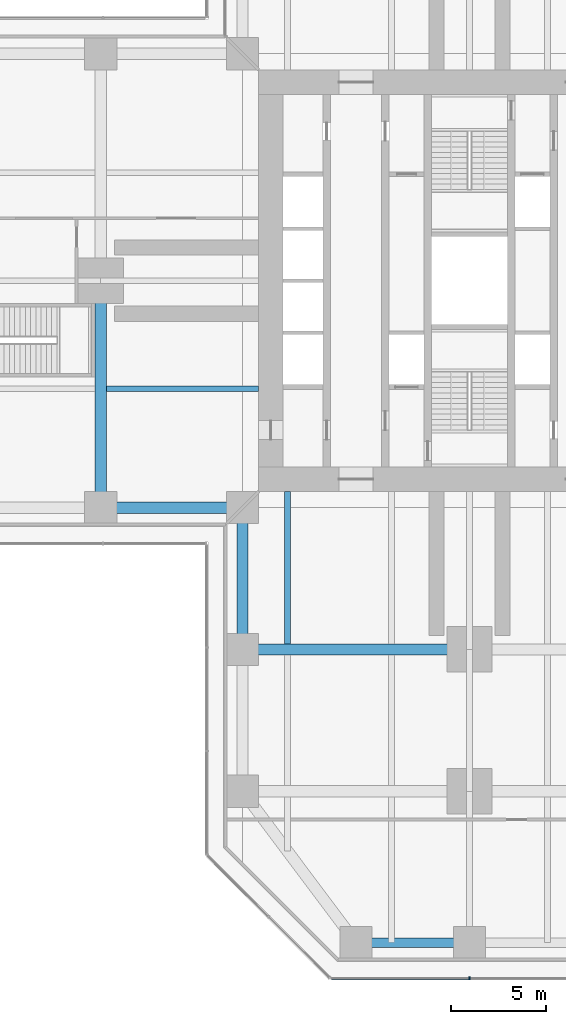
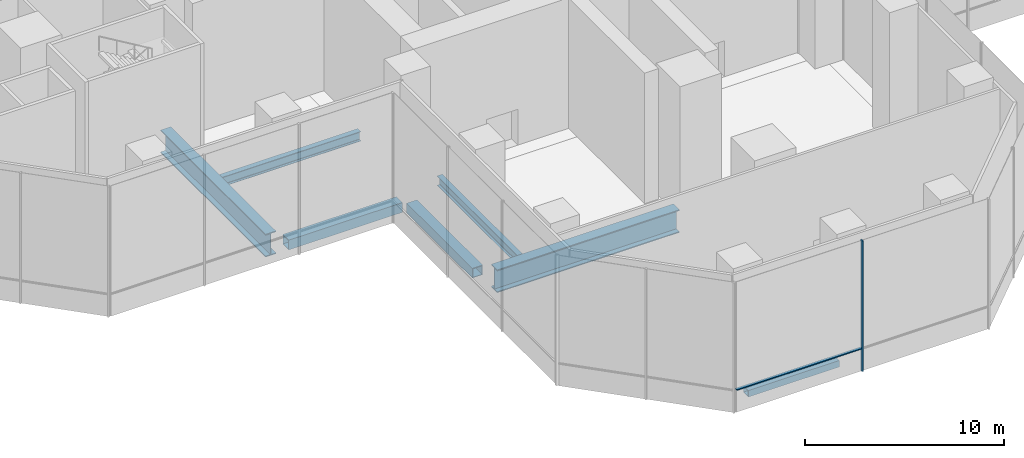
# One storey, part 4 of 25: 7 beams, 2 members, 1 element without a shape of its own.
"""IFC4 building model written with IfcOpenShell, lengths in metres."""

from ifc_helpers import new_model, si_unit, direction, frame, origin, origin_2d, place, context, subcontext, project, spatial, rectangle, hollow_rectangle, i_section, extrude, material, material_profile, profile_set, type_object, element, aggregate, save


model = new_model("IFC4")

# Units and contexts
model_context = context("Model", 3, precision=1e-05, world=origin(), true_north=direction((0.0, 1.0)))
body_context = subcontext(model_context, "Body", "Model", "MODEL_VIEW")
ifc_project = project(units=[si_unit("LENGTHUNIT", "METRE"), si_unit("AREAUNIT", "SQUARE_METRE"), si_unit("VOLUMEUNIT", "CUBIC_METRE"), si_unit("PLANEANGLEUNIT", "RADIAN"), si_unit("MASSUNIT", "GRAM", prefix="KILO")], contexts=[model_context])

# Site, building, storey
site_placement = place(None, origin())
site = spatial("IfcSite", under=ifc_project, at=site_placement, CompositionType="ELEMENT")
building_placement = place(site_placement, origin())
building = spatial("IfcBuilding", under=site, at=building_placement, Name="Mizan Broadcast Tower", CompositionType="ELEMENT")
storey_placement = place(building_placement, frame((0.0, 0.0, 15.0)))
storey = spatial("IfcBuildingStorey", under=building, at=storey_placement, Name="L02", CompositionType="ELEMENT", Elevation=15.0)

# Beams
ifc_material_1 = material(Name="Steel S355", Category="steel")
ifc_material_profile_1 = material_profile(ifc_material_1, hollow_rectangle(XDim=0.5, YDim=0.39990234375, WallThickness=0.02490234375, at=origin_2d()), Name="BOX 400x500x25")
ifc_profile_set_1 = profile_set([ifc_material_profile_1], Name="Steel S355")
beam_type_1 = type_object("IfcBeamType", Name="EDGE BEAM BOX 400x500x25", PredefinedType="SPANDREL", material=ifc_profile_set_1)
beam_placement = place(storey_placement, frame((-5.639892578125, -35.0, -0.449951171875), z_axis=(1.0, 0.0, 0.0), x_axis=(0.0, 1.0, 0.0)))
element("IfcBeam", 1, at=beam_placement, inside=storey, type_object=beam_type_1, Name="Edge beam BOX 400x500x25 L02 south arm", PredefinedType="SPANDREL", context=body_context, shape_type="SweptSolid", body=[
    extrude(hollow_rectangle(XDim=0.5, YDim=0.39990234375, WallThickness=0.02490234375, at=origin_2d()), origin(), (0.0, 0.0, 1.0), 5.27978515625),
])
ifc_material_2 = material(Name="Steel S355", Category="steel")
ifc_material_profile_2 = material_profile(ifc_material_2, hollow_rectangle(XDim=0.60009765625, YDim=0.60009765625, WallThickness=0.0400390625, at=origin_2d()), Name="BOX 600x600x40")
ifc_profile_set_2 = profile_set([ifc_material_profile_2], Name="Steel S355")
beam_type_2 = type_object("IfcBeamType", Name="EDGE BEAM BOX 600x600x40", PredefinedType="SPANDREL", material=ifc_profile_set_2)
for number, where, z_axis, x_axis, name in (
    (2, (-12.449951171875, -12.0, -0.550048828125), (-1.0, 0.0, 0.0), (0.0, -1.0, 0.0), "Edge beam BOX 600x600x40 L02 west arm"),
    (3, (-12.0, -12.449951171875, -0.550048828125), (0.0, -1.0, 0.0), (1.0, 0.0, 0.0), "Edge beam BOX 600x600x40 L02 south arm"),
):
    element("IfcBeam", number, at=place(storey_placement, frame(where, z_axis=z_axis, x_axis=x_axis)), inside=storey, type_object=beam_type_2, Name=name, PredefinedType="SPANDREL", context=body_context, shape_type="SweptSolid", body=[
        extrude(hollow_rectangle(XDim=0.60009765625, YDim=0.60009765625, WallThickness=0.0400390625, at=origin_2d()), origin(), (0.0, 0.0, 1.0), 6.60009765625),
    ])
ifc_material_3 = material(Name="Steel S460", Category="steel")
ifc_material_profile_3 = material_profile(ifc_material_3, i_section(OverallWidth=0.60009765625, OverallDepth=1.39990234375, WebThickness=0.02490234375, FlangeThickness=0.06005859375, at=origin_2d()), Name="WPG 1400x600")
ifc_profile_set_3 = profile_set([ifc_material_profile_3], Name="Steel S460")
beam_type_3 = type_object("IfcBeamType", Name="GIRDER WPG 1400x600", PredefinedType="BEAM", material=ifc_profile_set_3)
for number, where, z_axis, x_axis, name in (
    (4, (-19.5, -0.719970703125, -0.949951171875), (0.0, -1.0, 0.0), (1.0, 0.0, 0.0), "Girder WPG 1400x600 L02 west arm"),
    (5, (-11.280029296875, -19.5, -0.949951171875), (1.0, 0.0, 0.0), (0.0, 1.0, 0.0), "Girder WPG 1400x600 L02 south arm"),
):
    element("IfcBeam", number, at=place(storey_placement, frame(where, z_axis=z_axis, x_axis=x_axis)), inside=storey, type_object=beam_type_3, Name=name, PredefinedType="BEAM", context=body_context, shape_type="SweptSolid", body=[
        extrude(i_section(OverallWidth=0.60009765625, OverallDepth=1.39990234375, WebThickness=0.02490234375, FlangeThickness=0.06005859375, at=origin_2d()), origin(), (0.0, 0.0, 1.0), 10.56005859375),
    ])

# Curtain wall, members
ifc_material_4 = material(Name="Aluminium framed glazing", Category="aluminium")
curtain_wall_type = type_object("IfcCurtainWallType", Name="OUTER SKIN", PredefinedType="USERDEFINED", material=ifc_material_4)
curtain_wall_placement = place(storey_placement, origin())
curtain_wall = element("IfcCurtainWall", 6, at=curtain_wall_placement, inside=storey, type_object=curtain_wall_type, Name="Outer skin L02 S end", ObjectType="OUTER SKIN", PredefinedType="USERDEFINED")
ifc_material_5 = material(Name="Aluminium, pale anodised", Category="aluminium")
ifc_material_profile_4 = material_profile(ifc_material_5, rectangle(XDim=0.159912109375, YDim=0.080078125, at=origin_2d()), Name="MULLION 160x80")
ifc_profile_set_4 = profile_set([ifc_material_profile_4], Name="Aluminium, pale anodised")
member_type_1 = type_object("IfcMemberType", Name="OUTER SKIN MULLION 80x160", PredefinedType="MULLION", material=ifc_profile_set_4)
member_1_placement = place(storey_placement, frame((0.0, -36.89990234375, 0.0), z_axis=(0.0, 0.0, 1.0), x_axis=(0.0, 1.0, 0.0)))
member_1 = element("IfcMember", 7, at=member_1_placement, type_object=member_type_1, Name="Outer skin L02 S end mullion 2", PredefinedType="MULLION", context=body_context, shape_type="SweptSolid", body=[
    extrude(rectangle(XDim=0.159912109375, YDim=0.080078125, at=origin_2d()), origin(), (0.0, 0.0, 1.0), 8.0),
])
ifc_material_6 = material(Name="Aluminium, pale anodised", Category="aluminium")
ifc_material_profile_5 = material_profile(ifc_material_6, rectangle(XDim=0.159912109375, YDim=0.06005859375, at=origin_2d()), Name="TRANSOM 160x60")
ifc_profile_set_5 = profile_set([ifc_material_profile_5], Name="Aluminium, pale anodised")
member_type_2 = type_object("IfcMemberType", Name="OUTER SKIN TRANSOM 60x160", PredefinedType="USERDEFINED", material=ifc_profile_set_5)
member_2_placement = place(storey_placement, frame((-7.292724609375, -36.89990234375, 1.39990234375), z_axis=(1.0, 0.0, 0.0), x_axis=(0.0, 1.0, 0.0)))
member_2 = element("IfcMember", 8, at=member_2_placement, type_object=member_type_2, Name="Outer skin L02 S end transom 1.1", ObjectType="TRANSOM", PredefinedType="USERDEFINED", context=body_context, shape_type="SweptSolid", body=[
    extrude(rectangle(XDim=0.159912109375, YDim=0.06005859375, at=origin_2d()), origin(), (0.0, 0.0, 1.0), 7.252685546875),
])
aggregate(curtain_wall, [member_1, member_2])

# Beams
ifc_material_7 = material(Name="Steel S355", Category="steel")
ifc_material_profile_6 = material_profile(ifc_material_7, i_section(OverallWidth=0.300048828125, OverallDepth=0.590087890625, WebThickness=0.012939453125, FlangeThickness=0.02490234375, FilletRadius=0.027099609375, at=origin_2d()), Name="HEA 600")
ifc_profile_set_6 = profile_set([ifc_material_profile_6], Name="Steel S355")
beam_type_4 = type_object("IfcBeamType", Name="SECONDARY BEAM HEA 600", PredefinedType="JOIST", material=ifc_profile_set_6)
for number, where, z_axis, x_axis, name in (
    (9, (-11.14990234375, -5.71435546875, -0.544921875), (-1.0, 0.0, 0.0), (0.0, -1.0, 0.0), "Secondary beam HEA 600 L02 west arm"),
    (10, (-9.625, -11.14990234375, -0.544921875), (0.0, -1.0, 0.0), (1.0, 0.0, 0.0), "Secondary beam HEA 600 L02 south arm"),
):
    element("IfcBeam", number, at=place(storey_placement, frame(where, z_axis=z_axis, x_axis=x_axis)), inside=storey, type_object=beam_type_4, Name=name, PredefinedType="JOIST", context=body_context, shape_type="SweptSolid", body=[
        extrude(i_section(OverallWidth=0.300048828125, OverallDepth=0.590087890625, WebThickness=0.012939453125, FlangeThickness=0.02490234375, FilletRadius=0.027099609375, at=origin_2d()), origin(), (0.0, 0.0, 1.0), 8.050048828125),
    ])

save(model, "model.ifc")
